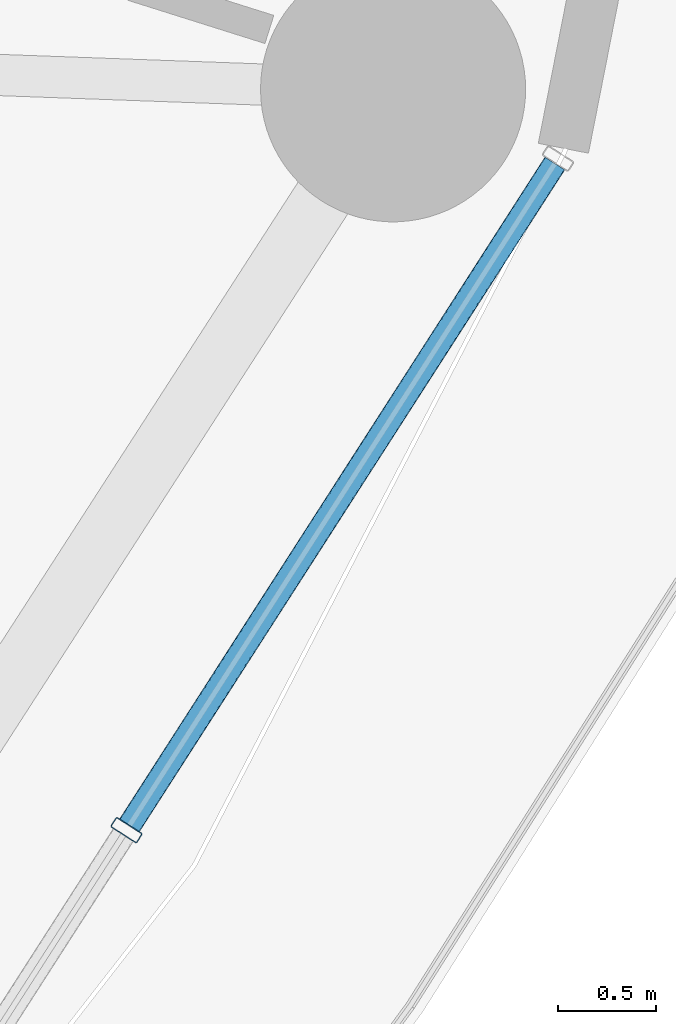
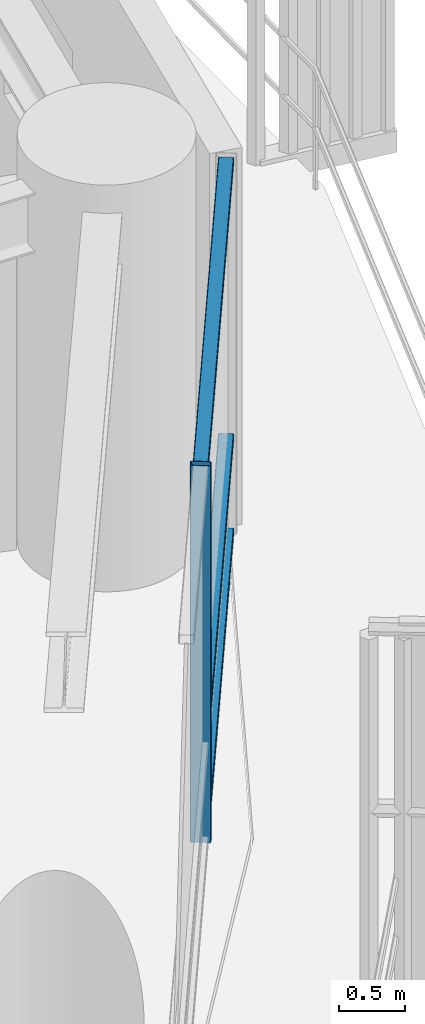
# One storey, part 14 of 36: 4 members, 1 element without a shape of its own.
"""IFC4 building model written with IfcOpenShell, lengths in metres."""

from ifc_helpers import new_model, si_unit, direction, frame, origin, origin_2d, place, context, subcontext, project, spatial, hollow_rectangle, extrude, material, layer, layer_set, material_profile, profile_set, type_object, element, aggregate, save


model = new_model("IFC4")

# Units and contexts
model_context = context("Model", 3, precision=1e-05, world=origin(), true_north=direction((0.0, 1.0)))
body_context = subcontext(model_context, "Body", "Model", "MODEL_VIEW")
ifc_project = project(units=[si_unit("LENGTHUNIT", "METRE"), si_unit("AREAUNIT", "SQUARE_METRE"), si_unit("VOLUMEUNIT", "CUBIC_METRE"), si_unit("PLANEANGLEUNIT", "RADIAN"), si_unit("MASSUNIT", "GRAM", prefix="KILO")], contexts=[model_context])

# Site, building, storey
site_placement = place(None, origin())
site = spatial("IfcSite", under=ifc_project, at=site_placement, CompositionType="ELEMENT")
building_placement = place(site_placement, origin())
building = spatial("IfcBuilding", under=site, at=building_placement, Name="Kelanora Arch Commons", CompositionType="ELEMENT")
storey_placement = place(building_placement, frame((0.0, 0.0, 102.60009765625)))
storey = spatial("IfcBuildingStorey", under=building, at=storey_placement, Name="L26", CompositionType="ELEMENT", Elevation=102.60009765625)

# Curtain wall, members
ifc_material_1 = material(Name="Terracotta ceramic-fritted low-E glass and aluminium", Category="masonry")
ifc_layer = layer(ifc_material_1, 0.159912109375)
ifc_layer_set = layer_set([ifc_layer], Name="Terracotta ceramic-fritted low-E glass and aluminium")
curtain_wall_type = type_object("IfcCurtainWallType", Name="CW-SYS-01", PredefinedType="NOTDEFINED", material=ifc_layer_set)
curtain_wall_placement = place(storey_placement, origin())
curtain_wall = element("IfcCurtainWall", 1, at=curtain_wall_placement, inside=storey, type_object=curtain_wall_type, Name="Unitised Curtain Wall L26-B16", PredefinedType="NOTDEFINED")
ifc_material_2 = material(Name="Powder-coated aluminium terracotta", Category="masonry")
ifc_material_profile_1 = material_profile(ifc_material_2, hollow_rectangle(XDim=0.159912109375, YDim=0.06005859375, WallThickness=0.0048828125, InnerFilletRadius=0.0048828125, OuterFilletRadius=0.010009765625, at=origin_2d()), Name="CWM160x60")
ifc_profile_set_1 = profile_set([ifc_material_profile_1], Name="Powder-coated aluminium terracotta")
member_type_1 = type_object("IfcMemberType", Name="CWM-STD", PredefinedType="MULLION", material=ifc_profile_set_1)
member_1_placement = place(storey_placement, frame((95.83349609375, 46.6748046875, 0.0), z_axis=(0.0, 0.0, 1.0), x_axis=(-0.841268883088, 0.540616931244, 0.0)))
member_1 = element("IfcMember", 2, at=member_1_placement, type_object=member_type_1, Name="CW-01 mullion 2", PredefinedType="MULLION", context=body_context, shape_type="SweptSolid", body=[
    extrude(hollow_rectangle(XDim=0.159912109375, YDim=0.06005859375, WallThickness=0.0048828125, InnerFilletRadius=0.0048828125, OuterFilletRadius=0.010009765625, at=origin_2d()), origin(), (0.0, 0.0, 1.0), 3.474853515625),
])
ifc_material_profile_2 = material_profile(ifc_material_2, hollow_rectangle(XDim=0.1201171875, YDim=0.06005859375, WallThickness=0.0048828125, InnerFilletRadius=0.0048828125, OuterFilletRadius=0.010009765625, at=origin_2d()), Name="CWT120x60")
ifc_profile_set_2 = profile_set([ifc_material_profile_2], Name="Powder-coated aluminium terracotta")
member_type_2 = type_object("IfcMemberType", Name="CWT-STD", PredefinedType="USERDEFINED", material=ifc_profile_set_2)
member_2_placement = place(storey_placement, frame((95.849609375, 46.699951171875, 0.02978515625), z_axis=(0.540643629734, 0.841251725483, 0.0), x_axis=(-0.841251725483, 0.540643629734, 0.0)))
member_2 = element("IfcMember", 3, at=member_2_placement, type_object=member_type_2, Name="CW-01 transom 2.1", ObjectType="TRANSOM", PredefinedType="USERDEFINED", context=body_context, shape_type="SweptSolid", body=[
    extrude(hollow_rectangle(XDim=0.1201171875, YDim=0.06005859375, WallThickness=0.0048828125, InnerFilletRadius=0.0048828125, OuterFilletRadius=0.010009765625, at=origin_2d()), origin(), (0.0, 0.0, 1.0), 4.00634765625),
])
member_3_placement = place(storey_placement, frame((95.849609375, 46.699951171875, 0.89990234375), z_axis=(0.540643629734, 0.841251725483, 0.0), x_axis=(-0.841251725483, 0.540643629734, 0.0)))
member_3 = element("IfcMember", 4, at=member_3_placement, type_object=member_type_2, Name="CW-01 transom 2.2", ObjectType="TRANSOM", PredefinedType="USERDEFINED", context=body_context, shape_type="SweptSolid", body=[
    extrude(hollow_rectangle(XDim=0.1201171875, YDim=0.06005859375, WallThickness=0.0048828125, InnerFilletRadius=0.0048828125, OuterFilletRadius=0.010009765625, at=origin_2d()), origin(), (0.0, 0.0, 1.0), 4.00634765625),
])
member_4_placement = place(storey_placement, frame((95.849609375, 46.699951171875, 3.44482421875), z_axis=(0.540643629734, 0.841251725483, 0.0), x_axis=(-0.841251725483, 0.540643629734, 0.0)))
member_4 = element("IfcMember", 5, at=member_4_placement, type_object=member_type_2, Name="CW-01 transom 2.3", ObjectType="TRANSOM", PredefinedType="USERDEFINED", context=body_context, shape_type="SweptSolid", body=[
    extrude(hollow_rectangle(XDim=0.1201171875, YDim=0.06005859375, WallThickness=0.0048828125, InnerFilletRadius=0.0048828125, OuterFilletRadius=0.010009765625, at=origin_2d()), origin(), (0.0, 0.0, 1.0), 4.00634765625),
])
aggregate(curtain_wall, [member_1, member_2, member_3, member_4])

save(model, "model.ifc")
